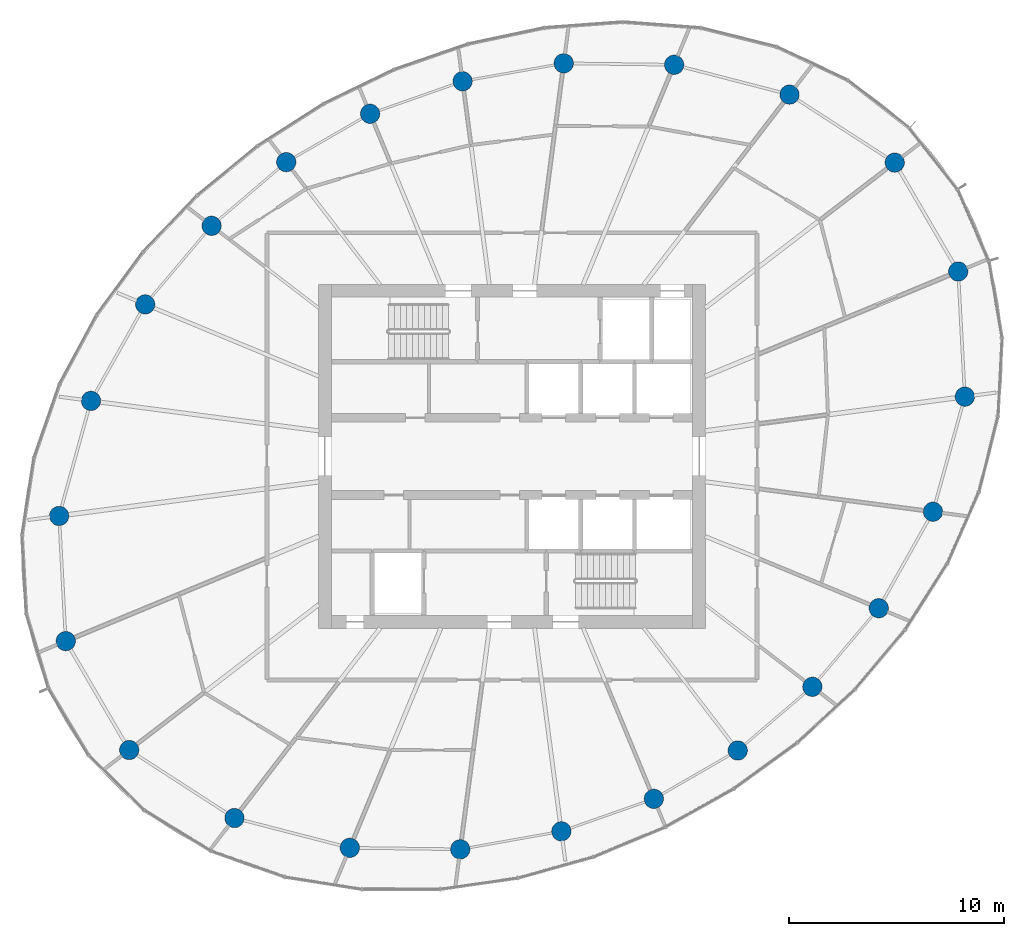
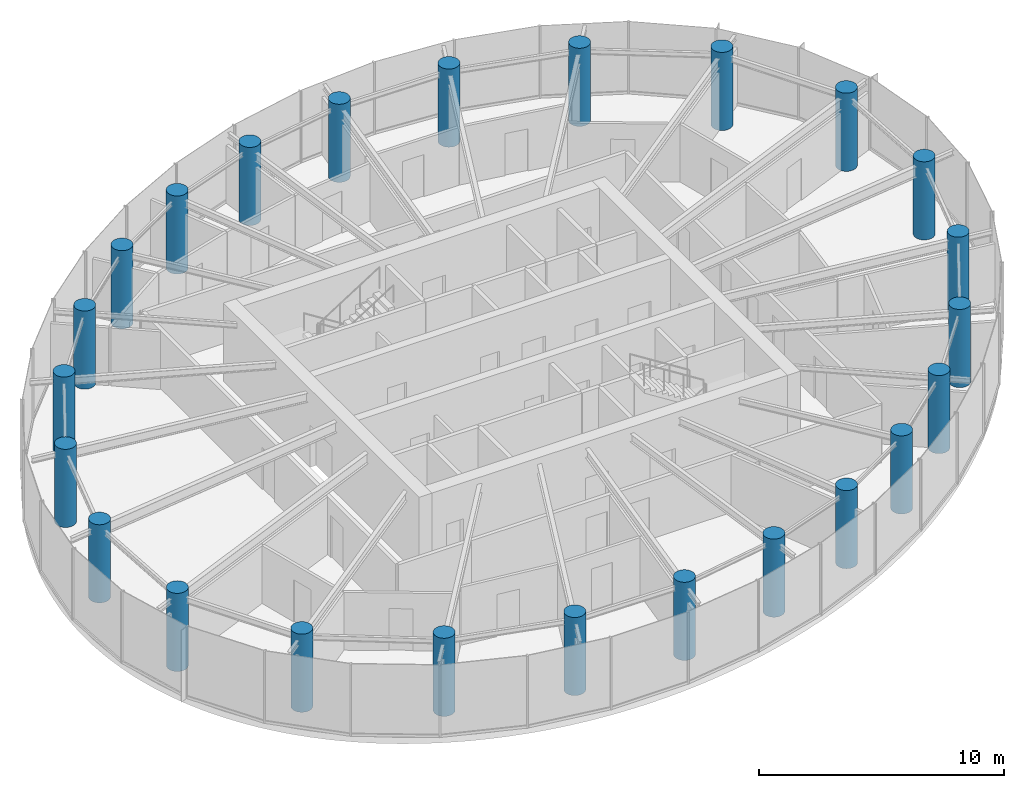
# One storey, part 1 of 14: 24 columns.
"""IFC4 building model written with IfcOpenShell, lengths in metres."""

from ifc_helpers import new_model, si_unit, direction, frame, origin, origin_2d, place, context, subcontext, project, spatial, circle, extrude, source, transform, mapped, material, material_profile, profile_set, type_object, element, save


model = new_model("IFC4")

# Units and contexts
model_context = context("Model", 3, precision=1e-05, world=origin(), true_north=direction((0.0, 1.0)))
body_context = subcontext(model_context, "Body", "Model", "MODEL_VIEW")
ifc_project = project(units=[si_unit("LENGTHUNIT", "METRE"), si_unit("AREAUNIT", "SQUARE_METRE"), si_unit("VOLUMEUNIT", "CUBIC_METRE"), si_unit("PLANEANGLEUNIT", "RADIAN"), si_unit("MASSUNIT", "GRAM", prefix="KILO")], contexts=[model_context])

# Site, building, storey
site_placement = place(None, origin())
site = spatial("IfcSite", under=ifc_project, at=site_placement, CompositionType="ELEMENT")
building_placement = place(site_placement, origin())
building = spatial("IfcBuilding", under=site, at=building_placement, Name="Spindrift Exchange Tower", CompositionType="ELEMENT")
storey_placement = place(building_placement, frame((0.0, 0.0, 207.199951171875)))
storey = spatial("IfcBuildingStorey", under=building, at=storey_placement, Name="L50", CompositionType="ELEMENT", Elevation=207.199951171875)

# Columns
ifc_material = material(Name="Concrete 50 MPa", Category="concrete")
ifc_material_profile = material_profile(ifc_material, circle(Radius=0.449951171875, at=origin_2d()), Name="RC D900")
ifc_profile_set = profile_set([ifc_material_profile], Name="Concrete 50 MPa")
column_type = type_object("IfcColumnType", Name="RC Perimeter Column D900 Concrete 50 MPa", PredefinedType="COLUMN", material=ifc_profile_set)
shared_shape = source(origin(), body_context, "Body", "SweptSolid", [
    extrude(circle(Radius=0.449951171875, at=origin_2d()), origin(), (0.0, 0.0, 1.0), 3.900146484375),
])
for number, where, z_axis, x_axis, name in (
    (1, (73.062255859375, 50.77294921875, 0.0), (0.0, 0.0, 1.0), (1.0, 0.0, 0.0), "Perimeter column P4-01 L50"),
    (2, (72.753173828125, 56.59619140625, 0.0), (0.0, 0.0, 1.0), (1.0, 0.0, 0.0), "Perimeter column P4-02 L50"),
    (3, (69.802001953125, 61.659912109375, 0.0), (0.0, 0.0, 1.0), (1.0, 0.0, 0.0), "Perimeter column P4-03 L50"),
    (4, (64.90869140625, 64.822998046875, 0.0), (0.0, 0.0, 1.0), (1.0, 0.0, 0.0), "Perimeter column P4-04 L50"),
    (5, (59.542724609375, 66.209716796875, 0.0), (0.0, 0.0, 1.0), (1.0, 0.0, 0.0), "Perimeter column P4-05 L50"),
    (6, (54.406494140625, 66.2783203125, 0.0), (0.0, 0.0, 1.0), (1.0, 0.0, 0.0), "Perimeter column P4-06 L50"),
    (7, (49.70361328125, 65.4423828125, 0.0), (0.0, 0.0, 1.0), (1.0, 0.0, 0.0), "Perimeter column P4-07 L50"),
    (8, (45.40087890625, 63.931396484375, 0.0), (0.0, 0.0, 1.0), (1.0, 0.0, 0.0), "Perimeter column P4-08 L50"),
    (9, (41.500732421875, 61.68310546875, 0.0), (0.0, 0.0, 1.0), (1.0, 0.0, 0.0), "Perimeter column P4-09 L50"),
    (10, (38.029052734375, 58.72021484375, 0.0), (0.0, 0.0, 1.0), (1.0, 0.0, 0.0), "Perimeter column P4-10 L50"),
    (11, (34.940673828125, 55.066162109375, 0.0), (0.0, 0.0, 1.0), (1.0, 0.0, 0.0), "Perimeter column P4-11 L50"),
    (12, (32.4189453125, 50.577880859375, 0.0), (0.0, 0.0, 1.0), (1.0, 0.0, 0.0), "Perimeter column P4-12 L50"),
    (13, (30.937744140625, 45.22705078125, 0.0), (0.0, 0.0, 1.0), (1.0, 0.0, 0.0), "Perimeter column P4-13 L50"),
    (14, (31.246826171875, 39.40380859375, 0.0), (0.0, 0.0, 1.0), (1.0, 0.0, 0.0), "Perimeter column P4-14 L50"),
    (15, (34.197998046875, 34.340087890625, 0.0), (0.0, 0.0, 1.0), (1.0, 0.0, 0.0), "Perimeter column P4-15 L50"),
    (16, (39.09130859375, 31.177001953125, 0.0), (0.0, 0.0, 1.0), (1.0, 0.0, 0.0), "Perimeter column P4-16 L50"),
    (17, (44.457275390625, 29.790283203125, 0.0), (0.0, 0.0, 1.0), (1.0, 0.0, 0.0), "Perimeter column P4-17 L50"),
    (18, (49.593505859375, 29.7216796875, 0.0), (0.0, 0.0, 1.0), (1.0, 0.0, 0.0), "Perimeter column P4-18 L50"),
    (19, (54.29638671875, 30.5576171875, 0.0), (0.0, 0.0, 1.0), (1.0, 0.0, 0.0), "Perimeter column P4-19 L50"),
    (20, (58.59912109375, 32.068603515625, 0.0), (0.0, 0.0, 1.0), (1.0, 0.0, 0.0), "Perimeter column P4-20 L50"),
    (21, (62.499267578125, 34.31689453125, 0.0), (0.0, 0.0, 1.0), (1.0, 0.0, 0.0), "Perimeter column P4-21 L50"),
    (22, (65.970947265625, 37.27978515625, 0.0), (0.0, 0.0, 1.0), (1.0, 0.0, 0.0), "Perimeter column P4-22 L50"),
    (23, (69.059326171875, 40.933837890625, 0.0), (0.0, 0.0, 1.0), (1.0, 0.0, 0.0), "Perimeter column P4-23 L50"),
    (24, (71.5810546875, 45.422119140625, 0.0), (0.0, 0.0, 1.0), (1.0, 0.0, 0.0), "Perimeter column P4-24 L50"),
):
    element("IfcColumn", number, at=place(storey_placement, frame(where, z_axis=z_axis, x_axis=x_axis)), inside=storey, type_object=column_type, Name=name, PredefinedType="COLUMN", context=body_context, shape_type="MappedRepresentation", body=[
        mapped(shared_shape, transform((0.0, 0.0, 0.0), scale=1.0)),
    ])

save(model, "model.ifc")
